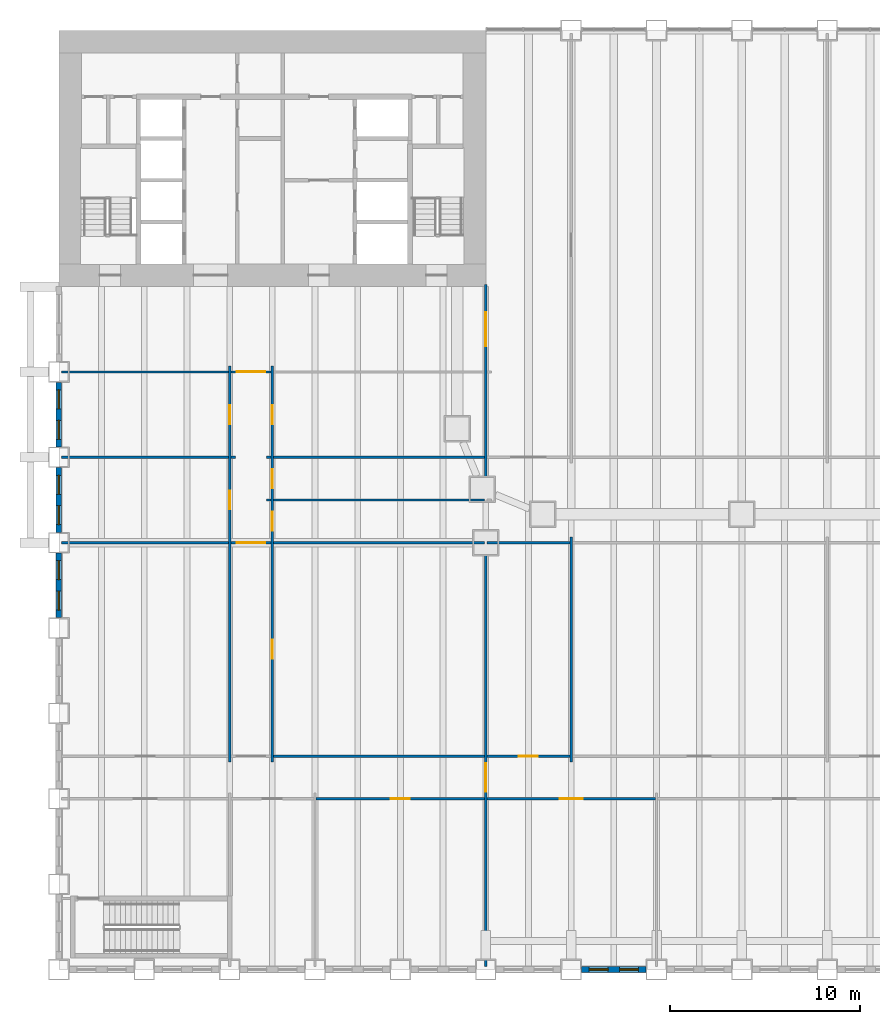
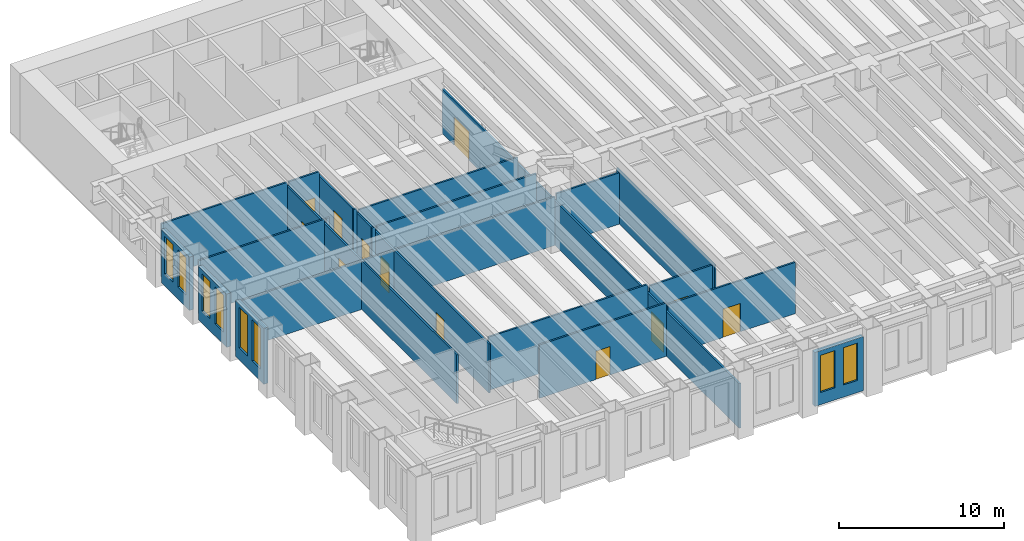
# One storey, part 11 of 21: 24 walls, 13 doors, 8 windows, 21 openings.
"""IFC4 building model written with IfcOpenShell, lengths in metres."""

from ifc_helpers import new_model, si_unit, direction, frame, frame_2d, origin, place, context, subcontext, project, spatial, rectangle, extrude, material, layer, layer_set, type_object, element, fill, save


model = new_model("IFC4")

# Units and contexts
model_context = context("Model", 3, precision=1e-05, world=origin(), true_north=direction((0.0, 1.0)))
body_context = subcontext(model_context, "Body", "Model", "MODEL_VIEW")
ifc_project = project(units=[si_unit("LENGTHUNIT", "METRE"), si_unit("AREAUNIT", "SQUARE_METRE"), si_unit("VOLUMEUNIT", "CUBIC_METRE"), si_unit("PLANEANGLEUNIT", "RADIAN"), si_unit("MASSUNIT", "GRAM", prefix="KILO")], contexts=[model_context])

# Site, building, storey
site_placement = place(None, origin())
site = spatial("IfcSite", under=ifc_project, at=site_placement, CompositionType="ELEMENT")
building_placement = place(site_placement, origin())
building = spatial("IfcBuilding", under=site, at=building_placement, Name="Sennacour Bend Tower", CompositionType="ELEMENT")
storey_placement = place(building_placement, frame((0.0, 0.0, 24.0)))
storey = spatial("IfcBuildingStorey", under=building, at=storey_placement, Name="L04", CompositionType="ELEMENT", Elevation=24.0)

# Wall, openings, doors
ifc_material_1 = material(Name="Plasterboard partition on steel studs", Category="steel")
ifc_layer_1 = layer(ifc_material_1, 0.1201171875, Name="Plasterboard partition on steel studs", Category="steel")
ifc_layer_set_1 = layer_set([ifc_layer_1], Name="Plasterboard partition on steel studs")
wall_type_1 = type_object("IfcWallType", Name="Partition 120", PredefinedType="PARTITIONING", material=ifc_layer_set_1)
wall_1_placement = place(storey_placement, frame((9.0, 10.949951171875, 0.0), z_axis=(0.0, 0.0, 1.0), x_axis=(0.0, 1.0, 0.0)))
wall_1 = element("IfcWall", 1, at=wall_1_placement, inside=storey, type_object=wall_type_1, Name="P-L04-W010a", PredefinedType="PARTITIONING", context=body_context, shape_type="SweptSolid", body=[
    extrude(rectangle(XDim=20.85009765625, YDim=0.1201171875, at=frame_2d((10.425048828125, 0.0))), origin(), (0.0, 0.0, 1.0), 3.60009765625),
])
opening_1_placement = place(wall_1_placement, frame((13.300048828125, 0.0, 0.0)))
opening_1 = element("IfcOpeningElement", 2, at=opening_1_placement, cuts=wall_1, Name="Opening OD2", PredefinedType="OPENING", context=body_context, shape_type="SweptSolid", body=[
    extrude(rectangle(XDim=1.0, YDim=2.10009765625, at=frame_2d((0.5, 1.050048828125))), frame((0.0, 0.070068359375, 0.0), z_axis=(0.0, -1.0, 0.0), x_axis=(1.0, 0.0, 0.0)), (0.0, 0.0, 1.0), 0.14013671875),
])
opening_2_placement = place(wall_1_placement, frame((17.800048828125, 0.0, 0.0)))
opening_2 = element("IfcOpeningElement", 3, at=opening_2_placement, cuts=wall_1, Name="Opening OD2", PredefinedType="OPENING", context=body_context, shape_type="SweptSolid", body=[
    extrude(rectangle(XDim=1.0, YDim=2.10009765625, at=frame_2d((0.5, 1.050048828125))), frame((0.0, 0.070068359375, 0.0), z_axis=(0.0, -1.0, 0.0), x_axis=(1.0, 0.0, 0.0)), (0.0, 0.0, 1.0), 0.14013671875),
])
ifc_material_2 = material(Name="Timber", Category="wood")
door_type_1 = type_object("IfcDoorType", Name="DR-OFFICE-1000", OperationType="NOTDEFINED", PredefinedType="DOOR", material=ifc_material_2)
door_1_placement = place(opening_1_placement, origin())
door_1 = element("IfcDoor", 4, at=door_1_placement, inside=storey, type_object=door_type_1, Name="Door", OperationType="SINGLE_SWING_RIGHT", OverallHeight=2.10009765625, OverallWidth=1.0, PredefinedType="DOOR", context=body_context, shape_type="SweptSolid", body=[
    extrude(rectangle(XDim=1.0, YDim=2.10009765625, at=frame_2d((0.5, 1.050048828125))), frame((0.0, 0.02490234375, 0.0), z_axis=(0.0, -1.0, 0.0), x_axis=(1.0, 0.0, 0.0)), (0.0, 0.0, 1.0), 0.050048828125),
])
fill(opening_1, door_1)
door_2_placement = place(opening_2_placement, origin())
door_2 = element("IfcDoor", 5, at=door_2_placement, inside=storey, type_object=door_type_1, Name="Door", OperationType="SINGLE_SWING_RIGHT", OverallHeight=2.10009765625, OverallWidth=1.0, PredefinedType="DOOR", context=body_context, shape_type="SweptSolid", body=[
    extrude(rectangle(XDim=1.0, YDim=2.10009765625, at=frame_2d((0.5, 1.050048828125))), frame((0.0, 0.02490234375, 0.0), z_axis=(0.0, -1.0, 0.0), x_axis=(1.0, 0.0, 0.0)), (0.0, 0.0, 1.0), 0.050048828125),
])
fill(opening_2, door_2)

wall_2_placement = place(storey_placement, frame((11.25, 10.949951171875, 0.0), z_axis=(0.0, 0.0, 1.0), x_axis=(0.0, 1.0, 0.0)))
wall_2 = element("IfcWall", 6, at=wall_2_placement, inside=storey, type_object=wall_type_1, Name="P-L04-W012a", PredefinedType="PARTITIONING", context=body_context, shape_type="SweptSolid", body=[
    extrude(rectangle(XDim=20.85009765625, YDim=0.1201171875, at=frame_2d((10.425048828125, 0.0))), origin(), (0.0, 0.0, 1.0), 3.60009765625),
])
opening_3_placement = place(wall_2_placement, frame((5.425048828125, 0.0, 0.0)))
opening_3 = element("IfcOpeningElement", 7, at=opening_3_placement, cuts=wall_2, Name="Opening OD2", PredefinedType="OPENING", context=body_context, shape_type="SweptSolid", body=[
    extrude(rectangle(XDim=1.0, YDim=2.10009765625, at=frame_2d((0.5, 1.050048828125))), frame((0.0, 0.070068359375, 0.0), z_axis=(0.0, -1.0, 0.0), x_axis=(1.0, 0.0, 0.0)), (0.0, 0.0, 1.0), 0.14013671875),
])
opening_4_placement = place(wall_2_placement, frame((12.175048828125, 0.0, 0.0)))
opening_4 = element("IfcOpeningElement", 8, at=opening_4_placement, cuts=wall_2, Name="Opening OD2", PredefinedType="OPENING", context=body_context, shape_type="SweptSolid", body=[
    extrude(rectangle(XDim=1.0, YDim=2.10009765625, at=frame_2d((0.5, 1.050048828125))), frame((0.0, 0.070068359375, 0.0), z_axis=(0.0, -1.0, 0.0), x_axis=(1.0, 0.0, 0.0)), (0.0, 0.0, 1.0), 0.14013671875),
])
opening_5_placement = place(wall_2_placement, frame((14.425048828125, 0.0, 0.0)))
opening_5 = element("IfcOpeningElement", 9, at=opening_5_placement, cuts=wall_2, Name="Opening OD2", PredefinedType="OPENING", context=body_context, shape_type="SweptSolid", body=[
    extrude(rectangle(XDim=1.0, YDim=2.10009765625, at=frame_2d((0.5, 1.050048828125))), frame((0.0, 0.070068359375, 0.0), z_axis=(0.0, -1.0, 0.0), x_axis=(1.0, 0.0, 0.0)), (0.0, 0.0, 1.0), 0.14013671875),
])
opening_6_placement = place(wall_2_placement, frame((17.800048828125, 0.0, 0.0)))
opening_6 = element("IfcOpeningElement", 10, at=opening_6_placement, cuts=wall_2, Name="Opening OD2", PredefinedType="OPENING", context=body_context, shape_type="SweptSolid", body=[
    extrude(rectangle(XDim=1.0, YDim=2.10009765625, at=frame_2d((0.5, 1.050048828125))), frame((0.0, 0.070068359375, 0.0), z_axis=(0.0, -1.0, 0.0), x_axis=(1.0, 0.0, 0.0)), (0.0, 0.0, 1.0), 0.14013671875),
])
door_3_placement = place(opening_3_placement, origin())
door_3 = element("IfcDoor", 11, at=door_3_placement, inside=storey, type_object=door_type_1, Name="Door", OperationType="SINGLE_SWING_LEFT", OverallHeight=2.10009765625, OverallWidth=1.0, PredefinedType="DOOR", context=body_context, shape_type="SweptSolid", body=[
    extrude(rectangle(XDim=1.0, YDim=2.10009765625, at=frame_2d((0.5, 1.050048828125))), frame((0.0, 0.02490234375, 0.0), z_axis=(0.0, -1.0, 0.0), x_axis=(1.0, 0.0, 0.0)), (0.0, 0.0, 1.0), 0.050048828125),
])
fill(opening_3, door_3)
door_4_placement = place(opening_4_placement, origin())
door_4 = element("IfcDoor", 12, at=door_4_placement, inside=storey, type_object=door_type_1, Name="Door", OperationType="SINGLE_SWING_RIGHT", OverallHeight=2.10009765625, OverallWidth=1.0, PredefinedType="DOOR", context=body_context, shape_type="SweptSolid", body=[
    extrude(rectangle(XDim=1.0, YDim=2.10009765625, at=frame_2d((0.5, 1.050048828125))), frame((0.0, 0.02490234375, 0.0), z_axis=(0.0, -1.0, 0.0), x_axis=(1.0, 0.0, 0.0)), (0.0, 0.0, 1.0), 0.050048828125),
])
fill(opening_4, door_4)
door_5_placement = place(opening_5_placement, origin())
door_5 = element("IfcDoor", 13, at=door_5_placement, inside=storey, type_object=door_type_1, Name="Door", OperationType="SINGLE_SWING_RIGHT", OverallHeight=2.10009765625, OverallWidth=1.0, PredefinedType="DOOR", context=body_context, shape_type="SweptSolid", body=[
    extrude(rectangle(XDim=1.0, YDim=2.10009765625, at=frame_2d((0.5, 1.050048828125))), frame((0.0, 0.02490234375, 0.0), z_axis=(0.0, -1.0, 0.0), x_axis=(1.0, 0.0, 0.0)), (0.0, 0.0, 1.0), 0.050048828125),
])
fill(opening_5, door_5)
door_6_placement = place(opening_6_placement, origin())
door_6 = element("IfcDoor", 14, at=door_6_placement, inside=storey, type_object=door_type_1, Name="Door", OperationType="SINGLE_SWING_RIGHT", OverallHeight=2.10009765625, OverallWidth=1.0, PredefinedType="DOOR", context=body_context, shape_type="SweptSolid", body=[
    extrude(rectangle(XDim=1.0, YDim=2.10009765625, at=frame_2d((0.5, 1.050048828125))), frame((0.0, 0.02490234375, 0.0), z_axis=(0.0, -1.0, 0.0), x_axis=(1.0, 0.0, 0.0)), (0.0, 0.0, 1.0), 0.050048828125),
])
fill(opening_6, door_6)

# Wall
wall_3_placement = place(storey_placement, frame((27.0, 10.949951171875, 0.0), z_axis=(0.0, 0.0, 1.0), x_axis=(0.0, 1.0, 0.0)))
element("IfcWall", 15, at=wall_3_placement, inside=storey, type_object=wall_type_1, Name="P-L04-W023a", PredefinedType="PARTITIONING", context=body_context, shape_type="SweptSolid", body=[
    extrude(rectangle(XDim=11.85009765625, YDim=0.1201171875, at=frame_2d((5.925048828125, 0.0))), origin(), (0.0, 0.0, 1.0), 3.93798828125),
])

# Wall, opening, door
wall_4_placement = place(storey_placement, frame((13.56005859375, 9.0, 0.0), z_axis=(0.0, 0.0, 1.0), x_axis=(1.0, 0.0, 0.0)))
wall_4 = element("IfcWall", 16, at=wall_4_placement, inside=storey, type_object=wall_type_1, Name="P-L04-W055ac", PredefinedType="PARTITIONING", context=body_context, shape_type="SweptSolid", body=[
    extrude(rectangle(XDim=8.8798828125, YDim=0.1201171875, at=frame_2d((4.43994140625, 0.0))), origin(), (0.0, 0.0, 1.0), 3.93798828125),
])
opening_7_placement = place(wall_4_placement, frame((3.93994140625, 0.0, 0.0)))
opening_7 = element("IfcOpeningElement", 17, at=opening_7_placement, cuts=wall_4, Name="Opening OD2", PredefinedType="OPENING", context=body_context, shape_type="SweptSolid", body=[
    extrude(rectangle(XDim=1.0, YDim=2.10009765625, at=frame_2d((0.5, 1.050048828125))), frame((0.0, 0.070068359375, 0.0), z_axis=(0.0, -1.0, 0.0), x_axis=(1.0, 0.0, 0.0)), (0.0, 0.0, 1.0), 0.14013671875),
])
door_7_placement = place(opening_7_placement, origin())
door_7 = element("IfcDoor", 18, at=door_7_placement, inside=storey, type_object=door_type_1, Name="Door", OperationType="SINGLE_SWING_LEFT", OverallHeight=2.10009765625, OverallWidth=1.0, PredefinedType="DOOR", context=body_context, shape_type="SweptSolid", body=[
    extrude(rectangle(XDim=1.0, YDim=2.10009765625, at=frame_2d((0.5, 1.050048828125))), frame((0.0, 0.02490234375, 0.0), z_axis=(0.0, -1.0, 0.0), x_axis=(1.0, 0.0, 0.0)), (0.0, 0.0, 1.0), 0.050048828125),
])
fill(opening_7, door_7)

wall_5_placement = place(storey_placement, frame((22.56005859375, 9.0, 0.0), z_axis=(0.0, 0.0, 1.0), x_axis=(1.0, 0.0, 0.0)))
wall_5 = element("IfcWall", 19, at=wall_5_placement, inside=storey, type_object=wall_type_1, Name="P-L04-W055ad", PredefinedType="PARTITIONING", context=body_context, shape_type="SweptSolid", body=[
    extrude(rectangle(XDim=8.8798828125, YDim=0.1201171875, at=frame_2d((4.43994140625, 0.0))), origin(), (0.0, 0.0, 1.0), 3.787841796875),
])
opening_8_placement = place(wall_5_placement, frame((3.83984375, 0.0, 0.0)))
opening_8 = element("IfcOpeningElement", 20, at=opening_8_placement, cuts=wall_5, Name="Opening OD", PredefinedType="OPENING", context=body_context, shape_type="SweptSolid", body=[
    extrude(rectangle(XDim=1.199951171875, YDim=2.10009765625, at=frame_2d((0.60009765625, 1.050048828125))), frame((0.0, 0.070068359375, 0.0), z_axis=(0.0, -1.0, 0.0), x_axis=(1.0, 0.0, 0.0)), (0.0, 0.0, 1.0), 0.14013671875),
])
door_type_2 = type_object("IfcDoorType", Name="DR-OFFICE-1200", OperationType="NOTDEFINED", PredefinedType="DOOR", material=ifc_material_2)
door_8_placement = place(opening_8_placement, origin())
door_8 = element("IfcDoor", 21, at=door_8_placement, inside=storey, type_object=door_type_2, Name="Door", OperationType="SINGLE_SWING_LEFT", OverallHeight=2.10009765625, OverallWidth=1.199951171875, PredefinedType="DOOR", context=body_context, shape_type="SweptSolid", body=[
    extrude(rectangle(XDim=1.199951171875, YDim=2.10009765625, at=frame_2d((0.60009765625, 1.050048828125))), frame((0.0, 0.02490234375, 0.0), z_axis=(0.0, -1.0, 0.0), x_axis=(1.0, 0.0, 0.0)), (0.0, 0.0, 1.0), 0.050048828125),
])
fill(opening_8, door_8)

# Wall
wall_6_placement = place(storey_placement, frame((11.31005859375, 11.25, 0.0), z_axis=(0.0, 0.0, 1.0), x_axis=(1.0, 0.0, 0.0)))
element("IfcWall", 22, at=wall_6_placement, inside=storey, type_object=wall_type_1, Name="P-L04-W057ac", PredefinedType="PARTITIONING", context=body_context, shape_type="SweptSolid", body=[
    extrude(rectangle(XDim=11.1298828125, YDim=0.1201171875, at=frame_2d((5.56494140625, 0.0))), origin(), (0.0, 0.0, 1.0), 3.93798828125),
])

# Wall, opening, door
wall_7_placement = place(storey_placement, frame((22.56005859375, 11.25, 0.0), z_axis=(0.0, 0.0, 1.0), x_axis=(1.0, 0.0, 0.0)))
wall_7 = element("IfcWall", 23, at=wall_7_placement, inside=storey, type_object=wall_type_1, Name="P-L04-W057ad", PredefinedType="PARTITIONING", context=body_context, shape_type="SweptSolid", body=[
    extrude(rectangle(XDim=4.3798828125, YDim=0.1201171875, at=frame_2d((2.18994140625, 0.0))), origin(), (0.0, 0.0, 1.0), 3.787841796875),
])
opening_9_placement = place(wall_7_placement, frame((1.68994140625, 0.0, 0.0)))
opening_9 = element("IfcOpeningElement", 24, at=opening_9_placement, cuts=wall_7, Name="Opening OD2", PredefinedType="OPENING", context=body_context, shape_type="SweptSolid", body=[
    extrude(rectangle(XDim=1.0, YDim=2.10009765625, at=frame_2d((0.5, 1.050048828125))), frame((0.0, 0.070068359375, 0.0), z_axis=(0.0, -1.0, 0.0), x_axis=(1.0, 0.0, 0.0)), (0.0, 0.0, 1.0), 0.14013671875),
])
door_9_placement = place(opening_9_placement, origin())
door_9 = element("IfcDoor", 25, at=door_9_placement, inside=storey, type_object=door_type_1, Name="Door", OperationType="SINGLE_SWING_LEFT", OverallHeight=2.10009765625, OverallWidth=1.0, PredefinedType="DOOR", context=body_context, shape_type="SweptSolid", body=[
    extrude(rectangle(XDim=1.0, YDim=2.10009765625, at=frame_2d((0.5, 1.050048828125))), frame((0.0, 0.02490234375, 0.0), z_axis=(0.0, -1.0, 0.0), x_axis=(1.0, 0.0, 0.0)), (0.0, 0.0, 1.0), 0.050048828125),
])
fill(opening_9, door_9)

# Walls
wall_8_placement = place(storey_placement, frame((0.14990234375, 22.5, 0.0), z_axis=(0.0, 0.0, 1.0), x_axis=(1.0, 0.0, 0.0)))
element("IfcWall", 26, at=wall_8_placement, inside=storey, type_object=wall_type_1, Name="P-L04-W066aa", PredefinedType="PARTITIONING", context=body_context, shape_type="SweptSolid", body=[
    extrude(rectangle(XDim=8.7900390625, YDim=0.1201171875, at=frame_2d((4.39501953125, 0.0))), origin(), (0.0, 0.0, 1.0), 3.60009765625),
])
wall_9_placement = place(storey_placement, frame((11.31005859375, 22.5, 0.0), z_axis=(0.0, 0.0, 1.0), x_axis=(1.0, 0.0, 0.0)))
element("IfcWall", 27, at=wall_9_placement, inside=storey, type_object=wall_type_1, Name="P-L04-W066ac", PredefinedType="PARTITIONING", context=body_context, shape_type="SweptSolid", body=[
    extrude(rectangle(XDim=11.1298828125, YDim=0.1201171875, at=frame_2d((5.56494140625, 0.0))), origin(), (0.0, 0.0, 1.0), 3.60009765625),
])
wall_10_placement = place(storey_placement, frame((22.56005859375, 22.5, 0.0), z_axis=(0.0, 0.0, 1.0), x_axis=(1.0, 0.0, 0.0)))
element("IfcWall", 28, at=wall_10_placement, inside=storey, type_object=wall_type_1, Name="P-L04-W066ad", PredefinedType="PARTITIONING", context=body_context, shape_type="SweptSolid", body=[
    extrude(rectangle(XDim=4.3798828125, YDim=0.1201171875, at=frame_2d((2.18994140625, 0.0))), origin(), (0.0, 0.0, 1.0), 3.787841796875),
])
wall_11_placement = place(storey_placement, frame((10.949951171875, 24.75, 0.0), z_axis=(0.0, 0.0, 1.0), x_axis=(1.0, 0.0, 0.0)))
element("IfcWall", 29, at=wall_11_placement, inside=storey, type_object=wall_type_1, Name="P-L04-W067aa", PredefinedType="PARTITIONING", context=body_context, shape_type="SweptSolid", body=[
    extrude(rectangle(XDim=0.239990234375, YDim=0.1201171875, at=frame_2d((0.1201171875, 0.0))), origin(), (0.0, 0.0, 1.0), 3.93798828125),
])
wall_12_placement = place(storey_placement, frame((11.31005859375, 24.75, 0.0), z_axis=(0.0, 0.0, 1.0), x_axis=(1.0, 0.0, 0.0)))
element("IfcWall", 30, at=wall_12_placement, inside=storey, type_object=wall_type_1, Name="P-L04-W067ab", PredefinedType="PARTITIONING", context=body_context, shape_type="SweptSolid", body=[
    extrude(rectangle(XDim=11.1298828125, YDim=0.1201171875, at=frame_2d((5.56494140625, 0.0))), origin(), (0.0, 0.0, 1.0), 3.93798828125),
])
wall_13_placement = place(storey_placement, frame((0.14990234375, 27.0, 0.0), z_axis=(0.0, 0.0, 1.0), x_axis=(1.0, 0.0, 0.0)))
element("IfcWall", 31, at=wall_13_placement, inside=storey, type_object=wall_type_1, Name="P-L04-W068aa", PredefinedType="PARTITIONING", context=body_context, shape_type="SweptSolid", body=[
    extrude(rectangle(XDim=8.7900390625, YDim=0.1201171875, at=frame_2d((4.39501953125, 0.0))), origin(), (0.0, 0.0, 1.0), 3.93798828125),
])
for number, where, z_axis, x_axis, name in (
    (32, (9.06005859375, 27.0, 0.0), (0.0, 0.0, 1.0), (1.0, 0.0, 0.0), "P-L04-W068ab"),
    (33, (10.949951171875, 27.0, 0.0), (0.0, 0.0, 1.0), (1.0, 0.0, 0.0), "P-L04-W069aa"),
):
    element("IfcWall", number, at=place(storey_placement, frame(where, z_axis=z_axis, x_axis=x_axis)), inside=storey, type_object=wall_type_1, Name=name, PredefinedType="PARTITIONING", context=body_context, shape_type="SweptSolid", body=[
        extrude(rectangle(XDim=0.239990234375, YDim=0.1201171875, at=frame_2d((0.1201171875, 0.0))), origin(), (0.0, 0.0, 1.0), 3.93798828125),
    ])
wall_14_placement = place(storey_placement, frame((11.31005859375, 27.0, 0.0), z_axis=(0.0, 0.0, 1.0), x_axis=(1.0, 0.0, 0.0)))
element("IfcWall", 34, at=wall_14_placement, inside=storey, type_object=wall_type_1, Name="P-L04-W069ab", PredefinedType="PARTITIONING", context=body_context, shape_type="SweptSolid", body=[
    extrude(rectangle(XDim=11.1298828125, YDim=0.1201171875, at=frame_2d((5.56494140625, 0.0))), origin(), (0.0, 0.0, 1.0), 3.787841796875),
])
wall_15_placement = place(storey_placement, frame((0.14990234375, 31.5, 0.0), z_axis=(0.0, 0.0, 1.0), x_axis=(1.0, 0.0, 0.0)))
element("IfcWall", 35, at=wall_15_placement, inside=storey, type_object=wall_type_1, Name="P-L04-W070aa", PredefinedType="PARTITIONING", context=body_context, shape_type="SweptSolid", body=[
    extrude(rectangle(XDim=8.7900390625, YDim=0.1201171875, at=frame_2d((4.39501953125, 0.0))), origin(), (0.0, 0.0, 1.0), 3.93798828125),
])

# Wall, opening, door
ifc_layer_2 = layer(ifc_material_1, 0.1201171875, Name="Plasterboard partition on steel studs", Category="steel")
ifc_layer_set_2 = layer_set([ifc_layer_2], Name="Plasterboard partition on steel studs")
wall_type_2 = type_object("IfcWallType", Name="Partition 120 EI 30", PredefinedType="PARTITIONING", material=ifc_layer_set_2)
wall_16_placement = place(storey_placement, frame((9.06005859375, 22.5, 0.0), z_axis=(0.0, 0.0, 1.0), x_axis=(1.0, 0.0, 0.0)))
wall_16 = element("IfcWall", 36, at=wall_16_placement, inside=storey, type_object=wall_type_2, Name="P-L04-W066ab", PredefinedType="PARTITIONING", context=body_context, shape_type="SweptSolid", body=[
    extrude(rectangle(XDim=2.1298828125, YDim=0.1201171875, at=frame_2d((1.06494140625, 0.0))), origin(), (0.0, 0.0, 1.0), 3.60009765625),
])
opening_10_placement = place(wall_16_placement, frame((0.31494140625, 0.0, 0.0)))
opening_10 = element("IfcOpeningElement", 37, at=opening_10_placement, cuts=wall_16, Name="Opening KD", PredefinedType="OPENING", context=body_context, shape_type="SweptSolid", body=[
    extrude(rectangle(XDim=1.5, YDim=2.10009765625, at=frame_2d((0.75, 1.050048828125))), frame((0.0, 0.070068359375, 0.0), z_axis=(0.0, -1.0, 0.0), x_axis=(1.0, 0.0, 0.0)), (0.0, 0.0, 1.0), 0.14013671875),
])
ifc_material_3 = material(Name="Painted steel", Category="steel")
door_type_3 = type_object("IfcDoorType", Name="DR-CORRIDOR-1500", OperationType="NOTDEFINED", PredefinedType="DOOR", material=ifc_material_3)
door_10_placement = place(opening_10_placement, origin())
door_10 = element("IfcDoor", 38, at=door_10_placement, inside=storey, type_object=door_type_3, Name="Door", OperationType="SINGLE_SWING_LEFT", OverallHeight=2.10009765625, OverallWidth=1.5, PredefinedType="DOOR", context=body_context, shape_type="SweptSolid", body=[
    extrude(rectangle(XDim=1.5, YDim=2.10009765625, at=frame_2d((0.75, 1.050048828125))), frame((0.0, 0.02490234375, 0.0), z_axis=(0.0, -1.0, 0.0), x_axis=(1.0, 0.0, 0.0)), (0.0, 0.0, 1.0), 0.050048828125),
])
fill(opening_10, door_10)

wall_17_placement = place(storey_placement, frame((9.06005859375, 31.5, 0.0), z_axis=(0.0, 0.0, 1.0), x_axis=(1.0, 0.0, 0.0)))
wall_17 = element("IfcWall", 39, at=wall_17_placement, inside=storey, type_object=wall_type_2, Name="P-L04-W070ab", PredefinedType="PARTITIONING", context=body_context, shape_type="SweptSolid", body=[
    extrude(rectangle(XDim=2.1298828125, YDim=0.1201171875, at=frame_2d((1.06494140625, 0.0))), origin(), (0.0, 0.0, 1.0), 3.93798828125),
])
opening_11_placement = place(wall_17_placement, frame((0.31494140625, 0.0, 0.0)))
opening_11 = element("IfcOpeningElement", 40, at=opening_11_placement, cuts=wall_17, Name="Opening KD", PredefinedType="OPENING", context=body_context, shape_type="SweptSolid", body=[
    extrude(rectangle(XDim=1.5, YDim=2.10009765625, at=frame_2d((0.75, 1.050048828125))), frame((0.0, 0.070068359375, 0.0), z_axis=(0.0, -1.0, 0.0), x_axis=(1.0, 0.0, 0.0)), (0.0, 0.0, 1.0), 0.14013671875),
])
door_11_placement = place(opening_11_placement, origin())
door_11 = element("IfcDoor", 41, at=door_11_placement, inside=storey, type_object=door_type_3, Name="Door", OperationType="SINGLE_SWING_LEFT", OverallHeight=2.10009765625, OverallWidth=1.5, PredefinedType="DOOR", context=body_context, shape_type="SweptSolid", body=[
    extrude(rectangle(XDim=1.5, YDim=2.10009765625, at=frame_2d((0.75, 1.050048828125))), frame((0.0, 0.02490234375, 0.0), z_axis=(0.0, -1.0, 0.0), x_axis=(1.0, 0.0, 0.0)), (0.0, 0.0, 1.0), 0.050048828125),
])
fill(opening_11, door_11)

# Wall, openings, doors
ifc_layer_3 = layer(ifc_material_1, 0.1201171875, Name="Plasterboard partition on steel studs", Category="steel")
ifc_layer_set_3 = layer_set([ifc_layer_3], Name="Plasterboard partition on steel studs")
wall_type_3 = type_object("IfcWallType", Name="Partition 120 EI 60", PredefinedType="PARTITIONING", material=ifc_layer_set_3)
wall_18_placement = place(storey_placement, frame((22.5, 0.14990234375, 0.0), z_axis=(0.0, 0.0, 1.0), x_axis=(0.0, 1.0, 0.0)))
wall_18 = element("IfcWall", 42, at=wall_18_placement, inside=storey, type_object=wall_type_3, Name="P-L04-W022a", PredefinedType="PARTITIONING", context=body_context, shape_type="SweptSolid", body=[
    extrude(rectangle(XDim=35.9501953125, YDim=0.1201171875, at=frame_2d((17.97509765625, 0.0))), origin(), (0.0, 0.0, 1.0), 3.300048828125),
])
opening_12_placement = place(wall_18_placement, frame((9.22509765625, 0.0, 0.0)))
opening_12 = element("IfcOpeningElement", 43, at=opening_12_placement, cuts=wall_18, Name="Opening KD", PredefinedType="OPENING", context=body_context, shape_type="SweptSolid", body=[
    extrude(rectangle(XDim=1.5, YDim=2.10009765625, at=frame_2d((0.75, 1.050048828125))), frame((0.0, 0.070068359375, 0.0), z_axis=(0.0, -1.0, 0.0), x_axis=(1.0, 0.0, 0.0)), (0.0, 0.0, 1.0), 0.14013671875),
])
opening_13_placement = place(wall_18_placement, frame((32.7001953125, 0.0, 0.0)))
opening_13 = element("IfcOpeningElement", 44, at=opening_13_placement, cuts=wall_18, Name="Opening CD", PredefinedType="OPENING", context=body_context, shape_type="SweptSolid", body=[
    extrude(rectangle(XDim=1.800048828125, YDim=2.10009765625, at=frame_2d((0.89990234375, 1.050048828125))), frame((0.0, 0.070068359375, 0.0), z_axis=(0.0, -1.0, 0.0), x_axis=(1.0, 0.0, 0.0)), (0.0, 0.0, 1.0), 0.14013671875),
])
door_12_placement = place(opening_12_placement, origin())
door_12 = element("IfcDoor", 45, at=door_12_placement, inside=storey, type_object=door_type_3, Name="Door", OperationType="SINGLE_SWING_LEFT", OverallHeight=2.10009765625, OverallWidth=1.5, PredefinedType="DOOR", context=body_context, shape_type="SweptSolid", body=[
    extrude(rectangle(XDim=1.5, YDim=2.10009765625, at=frame_2d((0.75, 1.050048828125))), frame((0.0, 0.02490234375, 0.0), z_axis=(0.0, -1.0, 0.0), x_axis=(1.0, 0.0, 0.0)), (0.0, 0.0, 1.0), 0.050048828125),
])
fill(opening_12, door_12)
door_type_4 = type_object("IfcDoorType", Name="DR-LOBBY-1800", OperationType="NOTDEFINED", PredefinedType="DOOR", material=ifc_material_3)
door_13_placement = place(opening_13_placement, origin())
door_13 = element("IfcDoor", 46, at=door_13_placement, inside=storey, type_object=door_type_4, Name="Door", OperationType="DOUBLE_DOOR_SINGLE_SWING", OverallHeight=2.10009765625, OverallWidth=1.800048828125, PredefinedType="DOOR", context=body_context, shape_type="SweptSolid", body=[
    extrude(rectangle(XDim=1.800048828125, YDim=2.10009765625, at=frame_2d((0.89990234375, 1.050048828125))), frame((0.0, 0.02490234375, 0.0), z_axis=(0.0, -1.0, 0.0), x_axis=(1.0, 0.0, 0.0)), (0.0, 0.0, 1.0), 0.050048828125),
])
fill(opening_13, door_13)

# Wall, openings, windows
ifc_material_4 = material(Name="Warm limestone cladding", Category="masonry")
ifc_layer_4 = layer(ifc_material_4, 0.050048828125, Name="Warm limestone cladding", Category="masonry")
ifc_material_5 = material(Name="Precast concrete C40/50", Category="concrete")
ifc_layer_5 = layer(ifc_material_5, 0.25, Name="Precast concrete C40/50", Category="concrete")
ifc_layer_set_4 = layer_set([ifc_layer_4, ifc_layer_5], Name="Precast concrete C40/50 with limestone cladding")
wall_type_4 = type_object("IfcWallType", Name="STONE-CLAD PRECAST SPANDREL 300", PredefinedType="STANDARD", material=ifc_layer_set_4)
wall_19_placement = place(storey_placement, frame((0.0, 30.949951171875, 0.0), z_axis=(0.0, 0.0, 1.0), x_axis=(0.0, -1.0, 0.0)))
wall_19 = element("IfcWall", 47, at=wall_19_placement, inside=storey, type_object=wall_type_4, Name="Stone spandrel and pier wall L04 02.01", PredefinedType="STANDARD", context=body_context, shape_type="SweptSolid", body=[
    extrude(rectangle(XDim=3.39990234375, YDim=0.300048828125, at=frame_2d((1.699951171875, 0.0))), origin(), (0.0, 0.0, 1.0), 3.93798828125),
])
opening_14_placement = place(wall_19_placement, frame((0.39990234375, 0.0, 0.89990234375)))
opening_14 = element("IfcOpeningElement", 48, at=opening_14_placement, cuts=wall_19, Name="Opening W3", PredefinedType="OPENING", context=body_context, shape_type="SweptSolid", body=[
    extrude(rectangle(XDim=1.0, YDim=2.75, at=frame_2d((0.5, 1.375))), frame((0.0, 0.16015625, 0.0), z_axis=(0.0, -1.0, 0.0), x_axis=(1.0, 0.0, 0.0)), (0.0, 0.0, 1.0), 0.320068359375),
])
opening_15_placement = place(wall_19_placement, frame((2.0, 0.0, 0.89990234375)))
opening_15 = element("IfcOpeningElement", 49, at=opening_15_placement, cuts=wall_19, Name="Opening W3", PredefinedType="OPENING", context=body_context, shape_type="SweptSolid", body=[
    extrude(rectangle(XDim=1.0, YDim=2.75, at=frame_2d((0.5, 1.375))), frame((0.0, 0.16015625, 0.0), z_axis=(0.0, -1.0, 0.0), x_axis=(1.0, 0.0, 0.0)), (0.0, 0.0, 1.0), 0.320068359375),
])
ifc_material_6 = material(Name="Clear low-emissivity glass", Category="glass")
window_type_1 = type_object("IfcWindowType", Name="WIN-RIBBON-1000x2750", PartitioningType="SINGLE_PANEL", PredefinedType="WINDOW", material=ifc_material_6)
window_1_placement = place(opening_14_placement, origin())
window_1 = element("IfcWindow", 50, at=window_1_placement, inside=storey, type_object=window_type_1, Name="Ribbon window L04 02.01.0", OverallHeight=2.75, OverallWidth=1.0, PartitioningType="SINGLE_PANEL", PredefinedType="WINDOW", context=body_context, shape_type="SweptSolid", body=[
    extrude(rectangle(XDim=1.0, YDim=2.75, at=frame_2d((0.5, 1.375))), frame((0.0, 0.030029296875, 0.0), z_axis=(0.0, -1.0, 0.0), x_axis=(1.0, 0.0, 0.0)), (0.0, 0.0, 1.0), 0.06005859375),
])
fill(opening_14, window_1)
window_2_placement = place(opening_15_placement, origin())
window_2 = element("IfcWindow", 51, at=window_2_placement, inside=storey, type_object=window_type_1, Name="Ribbon window L04 02.01.1", OverallHeight=2.75, OverallWidth=1.0, PartitioningType="SINGLE_PANEL", PredefinedType="WINDOW", context=body_context, shape_type="SweptSolid", body=[
    extrude(rectangle(XDim=1.0, YDim=2.75, at=frame_2d((0.5, 1.375))), frame((0.0, 0.030029296875, 0.0), z_axis=(0.0, -1.0, 0.0), x_axis=(1.0, 0.0, 0.0)), (0.0, 0.0, 1.0), 0.06005859375),
])
fill(opening_15, window_2)

wall_20_placement = place(storey_placement, frame((0.0, 26.449951171875, 0.0), z_axis=(0.0, 0.0, 1.0), x_axis=(0.0, -1.0, 0.0)))
wall_20 = element("IfcWall", 52, at=wall_20_placement, inside=storey, type_object=wall_type_4, Name="Stone spandrel and pier wall L04 02.02", PredefinedType="STANDARD", context=body_context, shape_type="SweptSolid", body=[
    extrude(rectangle(XDim=3.39990234375, YDim=0.300048828125, at=frame_2d((1.699951171875, 0.0))), origin(), (0.0, 0.0, 1.0), 3.93798828125),
])
opening_16_placement = place(wall_20_placement, frame((0.39990234375, 0.0, 0.89990234375)))
opening_16 = element("IfcOpeningElement", 53, at=opening_16_placement, cuts=wall_20, Name="Opening W3", PredefinedType="OPENING", context=body_context, shape_type="SweptSolid", body=[
    extrude(rectangle(XDim=1.0, YDim=2.75, at=frame_2d((0.5, 1.375))), frame((0.0, 0.16015625, 0.0), z_axis=(0.0, -1.0, 0.0), x_axis=(1.0, 0.0, 0.0)), (0.0, 0.0, 1.0), 0.320068359375),
])
opening_17_placement = place(wall_20_placement, frame((2.0, 0.0, 0.89990234375)))
opening_17 = element("IfcOpeningElement", 54, at=opening_17_placement, cuts=wall_20, Name="Opening W3", PredefinedType="OPENING", context=body_context, shape_type="SweptSolid", body=[
    extrude(rectangle(XDim=1.0, YDim=2.75, at=frame_2d((0.5, 1.375))), frame((0.0, 0.16015625, 0.0), z_axis=(0.0, -1.0, 0.0), x_axis=(1.0, 0.0, 0.0)), (0.0, 0.0, 1.0), 0.320068359375),
])
window_3_placement = place(opening_16_placement, origin())
window_3 = element("IfcWindow", 55, at=window_3_placement, inside=storey, type_object=window_type_1, Name="Ribbon window L04 02.02.0", OverallHeight=2.75, OverallWidth=1.0, PartitioningType="SINGLE_PANEL", PredefinedType="WINDOW", context=body_context, shape_type="SweptSolid", body=[
    extrude(rectangle(XDim=1.0, YDim=2.75, at=frame_2d((0.5, 1.375))), frame((0.0, 0.030029296875, 0.0), z_axis=(0.0, -1.0, 0.0), x_axis=(1.0, 0.0, 0.0)), (0.0, 0.0, 1.0), 0.06005859375),
])
fill(opening_16, window_3)
window_4_placement = place(opening_17_placement, origin())
window_4 = element("IfcWindow", 56, at=window_4_placement, inside=storey, type_object=window_type_1, Name="Ribbon window L04 02.02.1", OverallHeight=2.75, OverallWidth=1.0, PartitioningType="SINGLE_PANEL", PredefinedType="WINDOW", context=body_context, shape_type="SweptSolid", body=[
    extrude(rectangle(XDim=1.0, YDim=2.75, at=frame_2d((0.5, 1.375))), frame((0.0, 0.030029296875, 0.0), z_axis=(0.0, -1.0, 0.0), x_axis=(1.0, 0.0, 0.0)), (0.0, 0.0, 1.0), 0.06005859375),
])
fill(opening_17, window_4)

wall_21_placement = place(storey_placement, frame((0.0, 21.949951171875, 0.0), z_axis=(0.0, 0.0, 1.0), x_axis=(0.0, -1.0, 0.0)))
wall_21 = element("IfcWall", 57, at=wall_21_placement, inside=storey, type_object=wall_type_4, Name="Stone spandrel and pier wall L04 02.03", PredefinedType="STANDARD", context=body_context, shape_type="SweptSolid", body=[
    extrude(rectangle(XDim=3.39990234375, YDim=0.300048828125, at=frame_2d((1.699951171875, 0.0))), origin(), (0.0, 0.0, 1.0), 4.135986328125),
])
opening_18_placement = place(wall_21_placement, frame((0.39990234375, 0.0, 0.89990234375)))
opening_18 = element("IfcOpeningElement", 58, at=opening_18_placement, cuts=wall_21, Name="Opening W7", PredefinedType="OPENING", context=body_context, shape_type="SweptSolid", body=[
    extrude(rectangle(XDim=1.0, YDim=3.0, at=frame_2d((0.5, 1.5))), frame((0.0, 0.16015625, 0.0), z_axis=(0.0, -1.0, 0.0), x_axis=(1.0, 0.0, 0.0)), (0.0, 0.0, 1.0), 0.320068359375),
])
opening_19_placement = place(wall_21_placement, frame((2.0, 0.0, 0.89990234375)))
opening_19 = element("IfcOpeningElement", 59, at=opening_19_placement, cuts=wall_21, Name="Opening W7", PredefinedType="OPENING", context=body_context, shape_type="SweptSolid", body=[
    extrude(rectangle(XDim=1.0, YDim=3.0, at=frame_2d((0.5, 1.5))), frame((0.0, 0.16015625, 0.0), z_axis=(0.0, -1.0, 0.0), x_axis=(1.0, 0.0, 0.0)), (0.0, 0.0, 1.0), 0.320068359375),
])
window_type_2 = type_object("IfcWindowType", Name="WIN-RIBBON-1000x3000", PartitioningType="SINGLE_PANEL", PredefinedType="WINDOW", material=ifc_material_6)
window_5_placement = place(opening_18_placement, origin())
window_5 = element("IfcWindow", 60, at=window_5_placement, inside=storey, type_object=window_type_2, Name="Ribbon window L04 02.03.0", OverallHeight=3.0, OverallWidth=1.0, PartitioningType="SINGLE_PANEL", PredefinedType="WINDOW", context=body_context, shape_type="SweptSolid", body=[
    extrude(rectangle(XDim=1.0, YDim=3.0, at=frame_2d((0.5, 1.5))), frame((0.0, 0.030029296875, 0.0), z_axis=(0.0, -1.0, 0.0), x_axis=(1.0, 0.0, 0.0)), (0.0, 0.0, 1.0), 0.06005859375),
])
fill(opening_18, window_5)
window_6_placement = place(opening_19_placement, origin())
window_6 = element("IfcWindow", 61, at=window_6_placement, inside=storey, type_object=window_type_2, Name="Ribbon window L04 02.03.1", OverallHeight=3.0, OverallWidth=1.0, PartitioningType="SINGLE_PANEL", PredefinedType="WINDOW", context=body_context, shape_type="SweptSolid", body=[
    extrude(rectangle(XDim=1.0, YDim=3.0, at=frame_2d((0.5, 1.5))), frame((0.0, 0.030029296875, 0.0), z_axis=(0.0, -1.0, 0.0), x_axis=(1.0, 0.0, 0.0)), (0.0, 0.0, 1.0), 0.06005859375),
])
fill(opening_19, window_6)

wall_22_placement = place(storey_placement, frame((27.550048828125, 0.0, 0.0), z_axis=(0.0, 0.0, 1.0), x_axis=(1.0, 0.0, 0.0)))
wall_22 = element("IfcWall", 62, at=wall_22_placement, inside=storey, type_object=wall_type_4, Name="Stone spandrel and pier wall L04 03.06", PredefinedType="STANDARD", context=body_context, shape_type="SweptSolid", body=[
    extrude(rectangle(XDim=3.39990234375, YDim=0.300048828125, at=frame_2d((1.699951171875, 0.0))), origin(), (0.0, 0.0, 1.0), 3.993896484375),
])
opening_20_placement = place(wall_22_placement, frame((0.39990234375, 0.0, 0.89990234375)))
opening_20 = element("IfcOpeningElement", 63, at=opening_20_placement, cuts=wall_22, Name="Opening W3", PredefinedType="OPENING", context=body_context, shape_type="SweptSolid", body=[
    extrude(rectangle(XDim=1.0, YDim=2.75, at=frame_2d((0.5, 1.375))), frame((0.0, 0.16015625, 0.0), z_axis=(0.0, -1.0, 0.0), x_axis=(1.0, 0.0, 0.0)), (0.0, 0.0, 1.0), 0.320068359375),
])
opening_21_placement = place(wall_22_placement, frame((2.0, 0.0, 0.89990234375)))
opening_21 = element("IfcOpeningElement", 64, at=opening_21_placement, cuts=wall_22, Name="Opening W3", PredefinedType="OPENING", context=body_context, shape_type="SweptSolid", body=[
    extrude(rectangle(XDim=1.0, YDim=2.75, at=frame_2d((0.5, 1.375))), frame((0.0, 0.16015625, 0.0), z_axis=(0.0, -1.0, 0.0), x_axis=(1.0, 0.0, 0.0)), (0.0, 0.0, 1.0), 0.320068359375),
])
window_7_placement = place(opening_20_placement, origin())
window_7 = element("IfcWindow", 65, at=window_7_placement, inside=storey, type_object=window_type_1, Name="Ribbon window L04 03.06.0", OverallHeight=2.75, OverallWidth=1.0, PartitioningType="SINGLE_PANEL", PredefinedType="WINDOW", context=body_context, shape_type="SweptSolid", body=[
    extrude(rectangle(XDim=1.0, YDim=2.75, at=frame_2d((0.5, 1.375))), frame((0.0, 0.030029296875, 0.0), z_axis=(0.0, -1.0, 0.0), x_axis=(1.0, 0.0, 0.0)), (0.0, 0.0, 1.0), 0.06005859375),
])
fill(opening_20, window_7)
window_8_placement = place(opening_21_placement, origin())
window_8 = element("IfcWindow", 66, at=window_8_placement, inside=storey, type_object=window_type_1, Name="Ribbon window L04 03.06.1", OverallHeight=2.75, OverallWidth=1.0, PartitioningType="SINGLE_PANEL", PredefinedType="WINDOW", context=body_context, shape_type="SweptSolid", body=[
    extrude(rectangle(XDim=1.0, YDim=2.75, at=frame_2d((0.5, 1.375))), frame((0.0, 0.030029296875, 0.0), z_axis=(0.0, -1.0, 0.0), x_axis=(1.0, 0.0, 0.0)), (0.0, 0.0, 1.0), 0.06005859375),
])
fill(opening_21, window_8)

save(model, "model.ifc")
